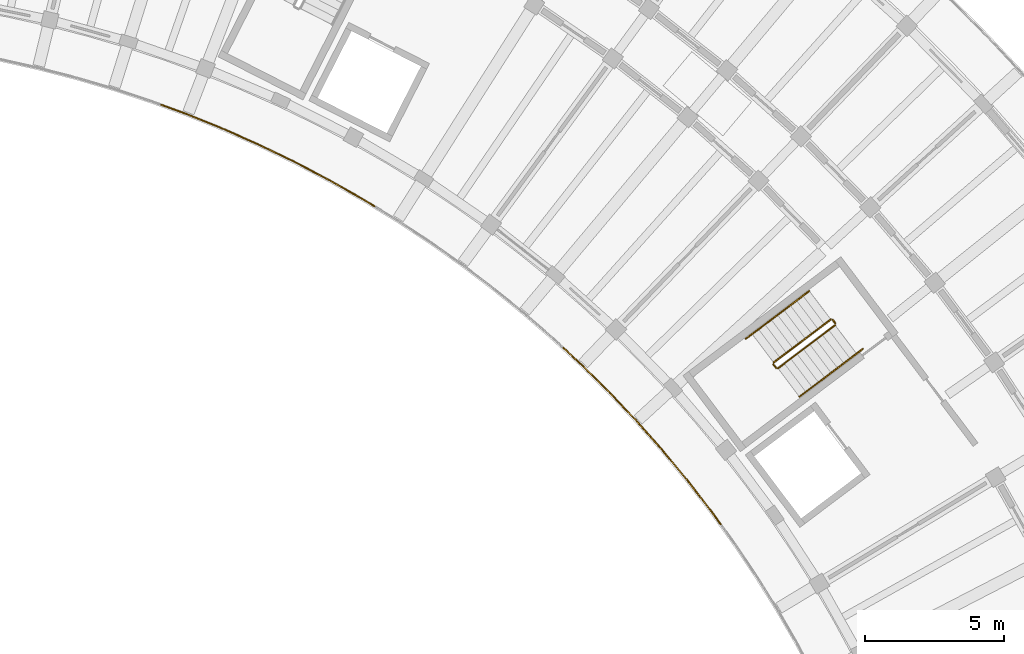
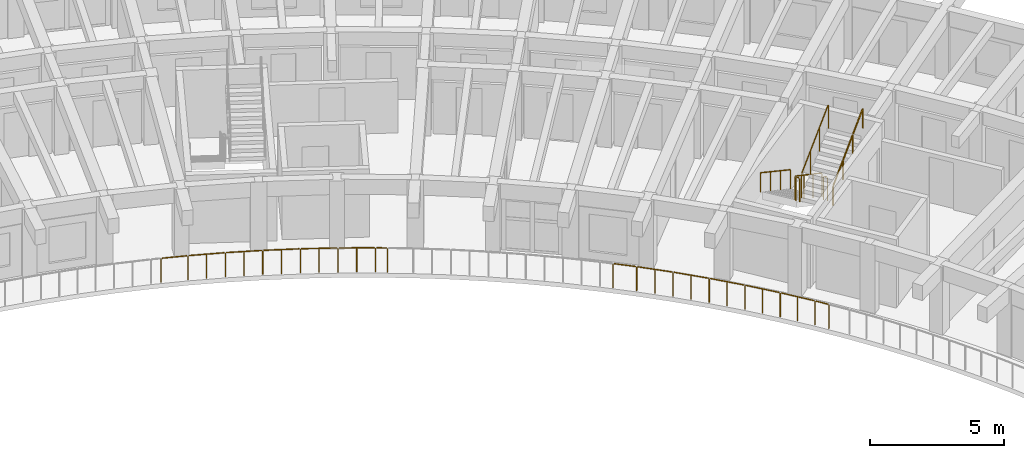
# One storey, part 75 of 78: 12 railings.
"""IFC4 building model written with IfcOpenShell, lengths in metres."""

from ifc_helpers import new_model, si_unit, direction, frame, origin, origin_2d, place, context, subcontext, project, spatial, circle, extrude, material, type_object, element, save


model = new_model("IFC4")

# Units and contexts
model_context = context("Model", 3, precision=1e-05, world=origin(), true_north=direction((0.0, 1.0)))
body_context = subcontext(model_context, "Body", "Model", "MODEL_VIEW")
ifc_project = project(units=[si_unit("LENGTHUNIT", "METRE"), si_unit("AREAUNIT", "SQUARE_METRE"), si_unit("VOLUMEUNIT", "CUBIC_METRE"), si_unit("PLANEANGLEUNIT", "RADIAN"), si_unit("MASSUNIT", "GRAM", prefix="KILO")], contexts=[model_context])

# Site, building, storey
site_placement = place(None, origin())
site = spatial("IfcSite", under=ifc_project, at=site_placement, CompositionType="ELEMENT")
building_placement = place(site_placement, origin())
building = spatial("IfcBuilding", under=site, at=building_placement, Name="Tanwirah Colonnade Gardens", CompositionType="ELEMENT")
storey_placement = place(building_placement, frame((0.0, 0.0, 22.280029296875)))
storey = spatial("IfcBuildingStorey", under=building, at=storey_placement, Name="L06", CompositionType="ELEMENT", Elevation=22.280029296875)

# Railings
ifc_material_1 = material(Name="Precast concrete C40/50", Category="concrete")
railing_type_1 = type_object("IfcRailingType", Name="BAL-EXT112", PredefinedType="BALUSTRADE", material=ifc_material_1)
railing_1_placement = place(storey_placement, frame((155.51513671875, 85.296142578125, 0.0)))
element("IfcRailing", 1, at=railing_1_placement, inside=storey, type_object=railing_type_1, Name="Block B L06 Balcony Ribbon Balustrade 3", PredefinedType="BALUSTRADE", context=body_context, shape_type="SweptSolid", body=[
    extrude(circle(Radius=0.02392578125, at=origin_2d()), frame((-0.018310546875, 0.025390625, 1.09619140625), z_axis=(-0.585664903779, 0.810553280471, 0.0), x_axis=(-0.810553280471, -0.585664903779, 0.0)), (0.0, 0.0, 1.0), 0.499755859375),
    extrude(circle(Radius=0.02392578125, at=origin_2d()), frame((-0.349853515625, 0.482666015625, 1.09619140625), z_axis=(-0.611783903817, 0.791024939576, 0.0), x_axis=(-0.791024939576, -0.611783903817, 0.0)), (0.0, 0.0, 1.0), 1.341796875),
    extrude(circle(Radius=0.02392578125, at=origin_2d()), frame((-1.211669921875, 1.594970703125, 1.09619140625), z_axis=(-0.637581943595, 0.770382544715, 0.0), x_axis=(-0.770382544715, -0.637581943595, 0.0)), (0.0, 0.0, 1.0), 1.342041015625),
    extrude(circle(Radius=0.02392578125, at=origin_2d()), frame((-2.109619140625, 2.67822265625, 1.09619140625), z_axis=(-0.662581384852, 0.748989925464, 0.0), x_axis=(-0.748989925464, -0.662581384852, 0.0)), (0.0, 0.0, 1.0), 1.341796875),
    extrude(circle(Radius=0.02392578125, at=origin_2d()), frame((-3.04248046875, 3.731201171875, 1.09619140625), z_axis=(-0.687011382404, 0.726646654466, 0.0), x_axis=(-0.726646654466, -0.687011382404, 0.0)), (0.0, 0.0, 1.0), 1.341796875),
    extrude(circle(Radius=0.02392578125, at=origin_2d()), frame((-4.009765625, 4.7529296875, 1.09619140625), z_axis=(-0.710488556831, 0.703708754111, 0.0), x_axis=(-0.703708754111, -0.710488556831, 0.0)), (0.0, 0.0, 1.0), 1.341796875),
    extrude(circle(Radius=0.02392578125, at=origin_2d()), frame((-5.01025390625, 5.7421875, 1.09619140625), z_axis=(-0.733450086442, 0.67974331236, 0.0), x_axis=(-0.67974331236, -0.733450086442, 0.0)), (0.0, 0.0, 1.0), 0.837646484375),
    extrude(circle(Radius=0.02099609375, at=origin_2d()), origin(), (0.0, 0.0, 1.0), 1.069091796875),
    extrude(circle(Radius=0.02099609375, at=origin_2d()), frame((-0.329345703125, 0.455810546875, 0.0)), (0.0, 0.0, 1.0), 1.069091796875),
    extrude(circle(Radius=0.02099609375, at=origin_2d()), frame((-0.76025390625, 1.013427734375, 0.0)), (0.0, 0.0, 1.0), 1.069091796875),
    extrude(circle(Radius=0.02099609375, at=origin_2d()), frame((-1.18994140625, 1.56884765625, 0.0)), (0.0, 0.0, 1.0), 1.069091796875),
    extrude(circle(Radius=0.02099609375, at=origin_2d()), frame((-1.639404296875, 2.11181640625, 0.0)), (0.0, 0.0, 1.0), 1.069091796875),
    extrude(circle(Radius=0.02099609375, at=origin_2d()), frame((-2.087158203125, 2.65283203125, 0.0)), (0.0, 0.0, 1.0), 1.069091796875),
    extrude(circle(Radius=0.02099609375, at=origin_2d()), frame((-2.55419921875, 3.1806640625, 0.0)), (0.0, 0.0, 1.0), 1.069091796875),
    extrude(circle(Radius=0.02099609375, at=origin_2d()), frame((-3.019287109375, 3.70654296875, 0.0)), (0.0, 0.0, 1.0), 1.069091796875),
    extrude(circle(Radius=0.02099609375, at=origin_2d()), frame((-3.50341796875, 4.21875, 0.0)), (0.0, 0.0, 1.0), 1.069091796875),
    extrude(circle(Radius=0.02099609375, at=origin_2d()), frame((-3.98583984375, 4.72900390625, 0.0)), (0.0, 0.0, 1.0), 1.069091796875),
    extrude(circle(Radius=0.02099609375, at=origin_2d()), frame((-4.486328125, 5.22509765625, 0.0)), (0.0, 0.0, 1.0), 1.069091796875),
    extrude(circle(Radius=0.02099609375, at=origin_2d()), frame((-4.9853515625, 5.71923828125, 0.0)), (0.0, 0.0, 1.0), 1.069091796875),
    extrude(circle(Radius=0.02099609375, at=origin_2d()), frame((-5.6474609375, 6.332763671875, 0.0)), (0.0, 0.0, 1.0), 1.069091796875),
])
railing_2_placement = place(storey_placement, frame((143.078857421875, 96.719482421875, 0.0)))
element("IfcRailing", 2, at=railing_2_placement, inside=storey, type_object=railing_type_1, Name="Block B L06 Balcony Ribbon Balustrade 5", PredefinedType="BALUSTRADE", context=body_context, shape_type="SweptSolid", body=[
    extrude(circle(Radius=0.02392578125, at=origin_2d()), frame((-0.026611328125, 0.016357421875, 1.09619140625), z_axis=(-0.85257765709, 0.522600553608, 0.0), x_axis=(-0.522600553608, -0.85257765709, 0.0)), (0.0, 0.0, 1.0), 0.383544921875),
    extrude(circle(Radius=0.02392578125, at=origin_2d()), frame((-0.40966796875, 0.249755859375, 1.09619140625), z_axis=(-0.869342839865, 0.494209496848, 0.0), x_axis=(-0.494209496848, -0.869342839865, 0.0)), (0.0, 0.0, 1.0), 1.342041015625),
    extrude(circle(Radius=0.02392578125, at=origin_2d()), frame((-1.633544921875, 0.9443359375, 1.09619140625), z_axis=(-0.885204649416, 0.465201814972, 0.0), x_axis=(-0.465201814972, -0.885204649416, 0.0)), (0.0, 0.0, 1.0), 1.341796875),
    extrude(circle(Radius=0.02392578125, at=origin_2d()), frame((-2.87939453125, 1.597900390625, 1.09619140625), z_axis=(-0.900124070825, 0.43563362717, 0.0), x_axis=(-0.43563362717, -0.900124070825, 0.0)), (0.0, 0.0, 1.0), 1.341796875),
    extrude(circle(Radius=0.02392578125, at=origin_2d()), frame((-4.146240234375, 2.2099609375, 1.09619140625), z_axis=(-0.913997826773, 0.40571908096, 0.0), x_axis=(-0.40571908096, -0.913997826773, 0.0)), (0.0, 0.0, 1.0), 1.342041015625),
    extrude(circle(Radius=0.02392578125, at=origin_2d()), frame((-5.4326171875, 2.77978515625, 1.09619140625), z_axis=(-0.92683738147, 0.375463005247, 0.0), x_axis=(-0.375463005247, -0.92683738147, 0.0)), (0.0, 0.0, 1.0), 1.342041015625),
    extrude(circle(Radius=0.02392578125, at=origin_2d()), frame((-6.737060546875, 3.30712890625, 1.09619140625), z_axis=(-0.938687215578, 0.344769939686, 0.0), x_axis=(-0.344769939686, -0.938687215578, 0.0)), (0.0, 0.0, 1.0), 0.95361328125),
    extrude(circle(Radius=0.02099609375, at=origin_2d()), origin(), (0.0, 0.0, 1.0), 1.069091796875),
    extrude(circle(Radius=0.02099609375, at=origin_2d()), frame((-0.38037109375, 0.233154296875, 0.0)), (0.0, 0.0, 1.0), 1.069091796875),
    extrude(circle(Radius=0.02099609375, at=origin_2d()), frame((-0.9931640625, 0.58154296875, 0.0)), (0.0, 0.0, 1.0), 1.069091796875),
    extrude(circle(Radius=0.02099609375, at=origin_2d()), frame((-1.603515625, 0.928466796875, 0.0)), (0.0, 0.0, 1.0), 1.069091796875),
    extrude(circle(Radius=0.02099609375, at=origin_2d()), frame((-2.2275390625, 1.25634765625, 0.0)), (0.0, 0.0, 1.0), 1.069091796875),
    extrude(circle(Radius=0.02099609375, at=origin_2d()), frame((-2.84912109375, 1.5830078125, 0.0)), (0.0, 0.0, 1.0), 1.069091796875),
    extrude(circle(Radius=0.02099609375, at=origin_2d()), frame((-3.4833984375, 1.89013671875, 0.0)), (0.0, 0.0, 1.0), 1.069091796875),
    extrude(circle(Radius=0.02099609375, at=origin_2d()), frame((-4.115478515625, 2.196044921875, 0.0)), (0.0, 0.0, 1.0), 1.069091796875),
    extrude(circle(Radius=0.02099609375, at=origin_2d()), frame((-4.759521484375, 2.482177734375, 0.0)), (0.0, 0.0, 1.0), 1.069091796875),
    extrude(circle(Radius=0.02099609375, at=origin_2d()), frame((-5.4013671875, 2.76708984375, 0.0)), (0.0, 0.0, 1.0), 1.069091796875),
    extrude(circle(Radius=0.02099609375, at=origin_2d()), frame((-6.054443359375, 3.03173828125, 0.0)), (0.0, 0.0, 1.0), 1.069091796875),
    extrude(circle(Radius=0.02099609375, at=origin_2d()), frame((-6.705322265625, 3.29541015625, 0.0)), (0.0, 0.0, 1.0), 1.069091796875),
    extrude(circle(Radius=0.02099609375, at=origin_2d()), frame((-7.66162109375, 3.646728515625, 0.0)), (0.0, 0.0, 1.0), 1.069091796875),
])
ifc_material_2 = material(Name="Powder-coated galvanized steel", Category="steel")
railing_type_2 = type_object("IfcRailingType", Name="GRD-ST110", PredefinedType="GUARDRAIL", material=ifc_material_2)
railing_3_placement = place(storey_placement, frame((159.46435546875, 92.6533203125, 0.16796875)))
element("IfcRailing", 3, at=railing_3_placement, inside=storey, type_object=railing_type_2, Name="L06 ST-B1 stair guard 1", PredefinedType="GUARDRAIL", context=body_context, shape_type="SweptSolid", body=[
    extrude(circle(Radius=0.02392578125, at=origin_2d()), frame((-0.021484375, -0.01611328125, 1.092041015625), z_axis=(-0.687998426946, -0.518417885, 0.507839601678), x_axis=(0.601795686627, -0.798650080797, 0.0)), (0.0, 0.0, 1.0), 2.914794921875),
    extrude(circle(Radius=0.02099609375, at=origin_2d()), origin(), (0.0, 0.0, 1.0), 1.049072265625),
    extrude(circle(Radius=0.02099609375, at=origin_2d()), frame((-0.682861328125, -0.514404296875, 0.50390625)), (0.0, 0.0, 1.0), 1.049072265625),
    extrude(circle(Radius=0.02099609375, at=origin_2d()), frame((-1.365478515625, -1.029052734375, 1.008056640625)), (0.0, 0.0, 1.0), 1.049072265625),
    extrude(circle(Radius=0.02099609375, at=origin_2d()), frame((-2.04833984375, -1.54345703125, 1.511962890625)), (0.0, 0.0, 1.0), 1.049072265625),
])
railing_4_placement = place(storey_placement, frame((157.406005859375, 91.039794921875, 1.679931640625)))
element("IfcRailing", 4, at=railing_4_placement, inside=storey, type_object=railing_type_2, Name="L06 ST-B1 stair guard 2", PredefinedType="GUARDRAIL", context=body_context, shape_type="SweptSolid", body=[
    extrude(circle(Radius=0.02392578125, at=origin_2d()), frame((0.018798828125, -0.02490234375, 1.076171875), z_axis=(0.601948835455, -0.798534657667, 0.0), x_axis=(0.798534657667, 0.601948835455, 0.0)), (0.0, 0.0, 1.0), 0.09765625),
    extrude(circle(Radius=0.02099609375, at=origin_2d()), origin(), (0.0, 0.0, 1.0), 1.049072265625),
    extrude(circle(Radius=0.02099609375, at=origin_2d()), frame((0.096435546875, -0.1279296875, 0.0)), (0.0, 0.0, 1.0), 1.049072265625),
])
railing_5_placement = place(storey_placement, frame((157.572265625, 90.902099609375, 1.847900390625)))
element("IfcRailing", 5, at=railing_5_placement, inside=storey, type_object=railing_type_2, Name="L06 ST-B1 stair guard 3", PredefinedType="GUARDRAIL", context=body_context, shape_type="SweptSolid", body=[
    extrude(circle(Radius=0.02392578125, at=origin_2d()), frame((0.021484375, 0.01611328125, 1.092041015625), z_axis=(0.688012363654, 0.518448596756, 0.507789365762), x_axis=(-0.601810650199, 0.798638805285, 0.0)), (0.0, 0.0, 1.0), 2.9150390625),
    extrude(circle(Radius=0.02099609375, at=origin_2d()), origin(), (0.0, 0.0, 1.0), 1.049072265625),
    extrude(circle(Radius=0.02099609375, at=origin_2d()), frame((0.682861328125, 0.5146484375, 0.50390625)), (0.0, 0.0, 1.0), 1.049072265625),
    extrude(circle(Radius=0.02099609375, at=origin_2d()), frame((1.36572265625, 1.029052734375, 1.008056640625)), (0.0, 0.0, 1.0), 1.049072265625),
    extrude(circle(Radius=0.02099609375, at=origin_2d()), frame((2.048583984375, 1.543701171875, 1.511962890625)), (0.0, 0.0, 1.0), 1.049072265625),
])
railing_6_placement = place(storey_placement, frame((159.534423828125, 92.6435546875, 0.0)))
element("IfcRailing", 6, at=railing_6_placement, inside=storey, type_object=railing_type_2, Name="L06 ST-B1 stair guard 4", PredefinedType="GUARDRAIL", context=body_context, shape_type="SweptSolid", body=[
    extrude(circle(Radius=0.02392578125, at=origin_2d()), frame((0.018798828125, -0.02490234375, 1.076171875), z_axis=(0.601709070646, -0.798715339969, 0.0), x_axis=(0.798715339969, 0.601709070646, 0.0)), (0.0, 0.0, 1.0), 0.097412109375),
    extrude(circle(Radius=0.02099609375, at=origin_2d()), origin(), (0.0, 0.0, 1.0), 1.049072265625),
    extrude(circle(Radius=0.02099609375, at=origin_2d()), frame((0.09619140625, -0.127685546875, 0.0)), (0.0, 0.0, 1.0), 1.049072265625),
])
ifc_material_3 = material(Name="Brushed bronze stainless steel", Category="steel")
railing_type_3 = type_object("IfcRailingType", Name="HR-ST090", PredefinedType="HANDRAIL", material=ifc_material_3)
railing_7_placement = place(storey_placement, frame((158.694091796875, 93.67578125, 0.16796875)))
element("IfcRailing", 7, at=railing_7_placement, inside=storey, type_object=railing_type_3, Name="L06 ST-B1 stair handrail 1", PredefinedType="HANDRAIL", context=body_context, shape_type="SweptSolid", body=[
    extrude(circle(Radius=0.02392578125, at=origin_2d()), frame((-0.021484375, -0.01611328125, 0.891845703125), z_axis=(-0.686145346169, -0.517037451972, 0.51173903231), x_axis=(0.601807485929, -0.798641189696, 0.0)), (0.0, 0.0, 1.0), 1.04345703125),
    extrude(circle(Radius=0.02099609375, at=origin_2d()), origin(), (0.0, 0.0, 1.0), 0.848876953125),
    extrude(circle(Radius=0.02099609375, at=origin_2d()), frame((-0.7587890625, -0.57177734375, 0.56591796875)), (0.0, 0.0, 1.0), 0.848876953125),
])
railing_8_placement = place(storey_placement, frame((157.935302734375, 93.10400390625, 0.73388671875)))
element("IfcRailing", 8, at=railing_8_placement, inside=storey, type_object=railing_type_3, Name="L06 ST-B1 stair handrail 2", PredefinedType="HANDRAIL", context=body_context, shape_type="SweptSolid", body=[
    extrude(circle(Radius=0.02392578125, at=origin_2d()), frame((-0.021484375, -0.01611328125, 0.891845703125), z_axis=(-0.685950957095, -0.517057335538, 0.511979488092), x_axis=(0.601931007785, -0.798548096152, 0.0)), (0.0, 0.0, 1.0), 1.043212890625),
    extrude(circle(Radius=0.02099609375, at=origin_2d()), origin(), (0.0, 0.0, 1.0), 0.848876953125),
    extrude(circle(Radius=0.02099609375, at=origin_2d()), frame((-0.758544921875, -0.57177734375, 0.566162109375)), (0.0, 0.0, 1.0), 0.848876953125),
])
railing_9_placement = place(storey_placement, frame((157.1767578125, 92.5322265625, 1.300048828125)))
element("IfcRailing", 9, at=railing_9_placement, inside=storey, type_object=railing_type_3, Name="L06 ST-B1 stair handrail 3", PredefinedType="HANDRAIL", context=body_context, shape_type="SweptSolid", body=[
    extrude(circle(Radius=0.02392578125, at=origin_2d()), frame((-0.021484375, -0.01611328125, 0.891845703125), z_axis=(-0.686145346169, -0.517037451972, 0.51173903231), x_axis=(0.601807485929, -0.798641189696, 0.0)), (0.0, 0.0, 1.0), 1.04345703125),
    extrude(circle(Radius=0.02099609375, at=origin_2d()), origin(), (0.0, 0.0, 1.0), 0.848876953125),
    extrude(circle(Radius=0.02099609375, at=origin_2d()), frame((-0.7587890625, -0.57177734375, 0.56591796875)), (0.0, 0.0, 1.0), 0.848876953125),
])
railing_10_placement = place(storey_placement, frame((158.3427734375, 89.8798828125, 1.847900390625)))
element("IfcRailing", 10, at=railing_10_placement, inside=storey, type_object=railing_type_3, Name="L06 ST-B1 stair handrail 4", PredefinedType="HANDRAIL", context=body_context, shape_type="SweptSolid", body=[
    extrude(circle(Radius=0.02392578125, at=origin_2d()), frame((0.021484375, 0.01611328125, 0.891845703125), z_axis=(0.685950957095, 0.517057335538, 0.511979488092), x_axis=(-0.601931007785, 0.798548096152, 0.0)), (0.0, 0.0, 1.0), 1.043212890625),
    extrude(circle(Radius=0.02099609375, at=origin_2d()), origin(), (0.0, 0.0, 1.0), 0.848876953125),
    extrude(circle(Radius=0.02099609375, at=origin_2d()), frame((0.758544921875, 0.57177734375, 0.566162109375)), (0.0, 0.0, 1.0), 0.848876953125),
])
railing_11_placement = place(storey_placement, frame((159.101318359375, 90.45166015625, 2.4140625)))
element("IfcRailing", 11, at=railing_11_placement, inside=storey, type_object=railing_type_3, Name="L06 ST-B1 stair handrail 5", PredefinedType="HANDRAIL", context=body_context, shape_type="SweptSolid", body=[
    extrude(circle(Radius=0.02392578125, at=origin_2d()), frame((0.021484375, 0.01611328125, 0.891845703125), z_axis=(0.686145346169, 0.517037451972, 0.51173903231), x_axis=(-0.601807485929, 0.798641189696, 0.0)), (0.0, 0.0, 1.0), 1.04345703125),
    extrude(circle(Radius=0.02099609375, at=origin_2d()), origin(), (0.0, 0.0, 1.0), 0.848876953125),
    extrude(circle(Radius=0.02099609375, at=origin_2d()), frame((0.7587890625, 0.57177734375, 0.56591796875)), (0.0, 0.0, 1.0), 0.848876953125),
])
railing_12_placement = place(storey_placement, frame((159.860107421875, 91.0234375, 2.97998046875)))
element("IfcRailing", 12, at=railing_12_placement, inside=storey, type_object=railing_type_3, Name="L06 ST-B1 stair handrail 6", PredefinedType="HANDRAIL", context=body_context, shape_type="SweptSolid", body=[
    extrude(circle(Radius=0.02392578125, at=origin_2d()), frame((0.021484375, 0.01611328125, 0.891845703125), z_axis=(0.686223662955, 0.51687567406, 0.51179744232), x_axis=(-0.601643549736, 0.798764695677, 0.0)), (0.0, 0.0, 1.0), 1.043212890625),
    extrude(circle(Radius=0.02099609375, at=origin_2d()), origin(), (0.0, 0.0, 1.0), 0.848876953125),
    extrude(circle(Radius=0.02099609375, at=origin_2d()), frame((0.7587890625, 0.571533203125, 0.56591796875)), (0.0, 0.0, 1.0), 0.848876953125),
])

save(model, "model.ifc")
